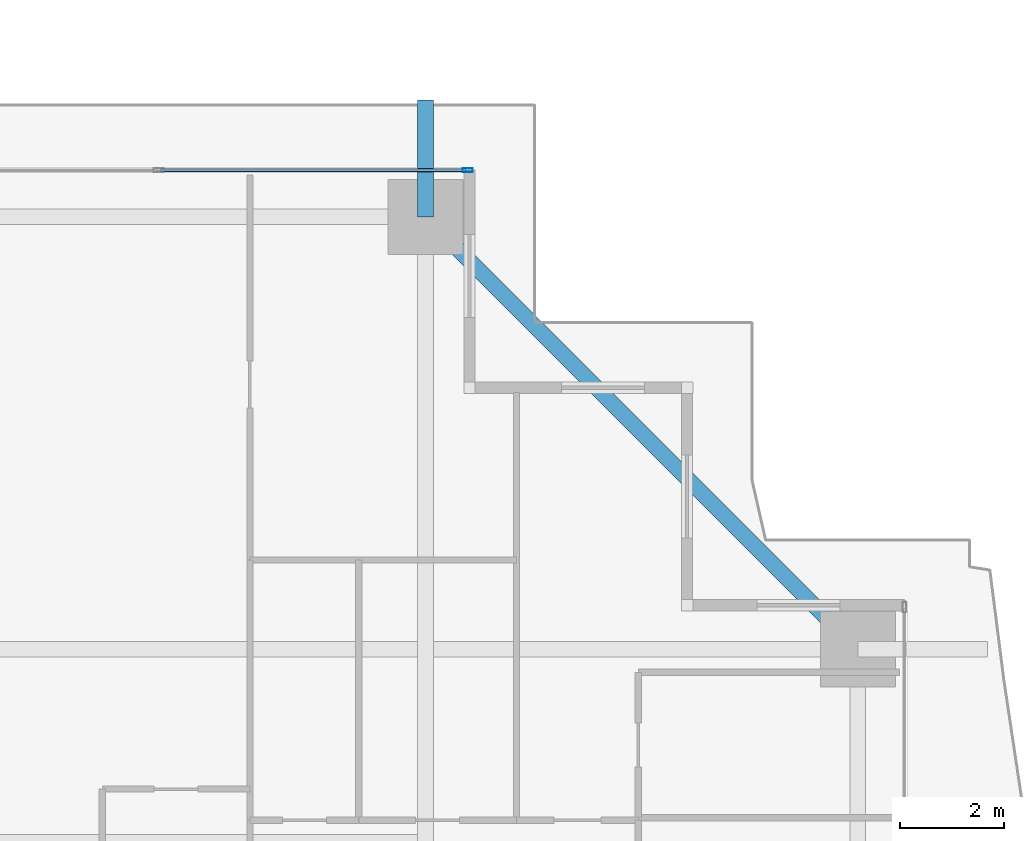
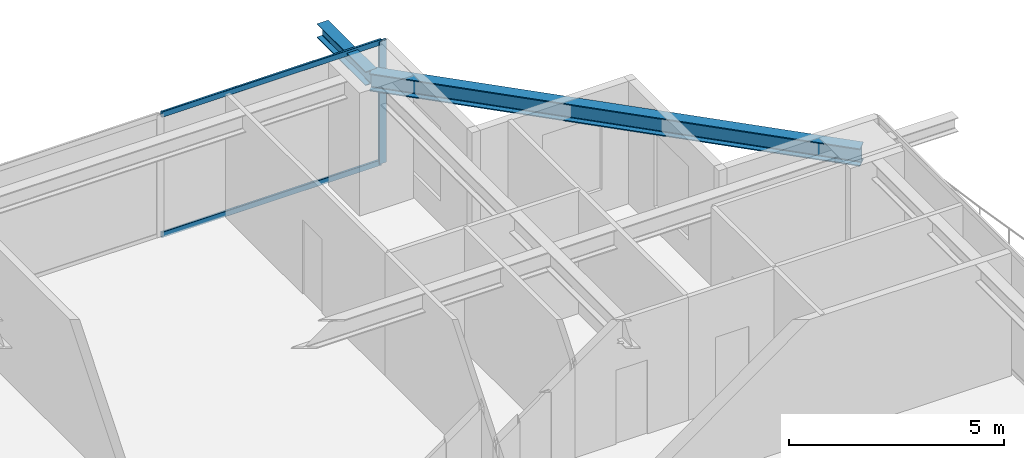
# One storey, part 25 of 39: 3 members, 2 beams, 1 element without a shape of its own.
"""IFC4 building model written with IfcOpenShell, lengths in metres."""

from ifc_helpers import new_model, si_unit, direction, frame, origin, origin_2d, place, context, subcontext, project, spatial, hollow_rectangle, i_section, extrude, source, transform, mapped, material, layer, layer_set, material_profile, profile_set, type_object, element, aggregate, save


model = new_model("IFC4")

# Units and contexts
model_context = context("Model", 3, precision=1e-05, world=origin(), true_north=direction((0.0, 1.0)))
body_context = subcontext(model_context, "Body", "Model", "MODEL_VIEW")
ifc_project = project(units=[si_unit("LENGTHUNIT", "METRE"), si_unit("AREAUNIT", "SQUARE_METRE"), si_unit("VOLUMEUNIT", "CUBIC_METRE"), si_unit("PLANEANGLEUNIT", "RADIAN"), si_unit("MASSUNIT", "GRAM", prefix="KILO")], contexts=[model_context])

# Site, building, storey
site_placement = place(None, origin())
site = spatial("IfcSite", under=ifc_project, at=site_placement, CompositionType="ELEMENT")
building_placement = place(site_placement, origin())
building = spatial("IfcBuilding", under=site, at=building_placement, Name="Serunith Strait Residences", CompositionType="ELEMENT")
storey_placement = place(building_placement, frame((0.0, 0.0, 49.199951171875)))
storey = spatial("IfcBuildingStorey", under=building, at=storey_placement, Name="L11", CompositionType="ELEMENT", Elevation=49.199951171875)

# Beams
ifc_material_1 = material(Name="Steel S355J2", Category="steel")
ifc_material_profile_1 = material_profile(ifc_material_1, i_section(OverallWidth=0.300048828125, OverallDepth=0.5, WebThickness=0.014404296875, FlangeThickness=0.028076171875, FilletRadius=0.027099609375, at=origin_2d()), Name="HEB 500")
ifc_profile_set_1 = profile_set([ifc_material_profile_1], Name="Steel S355J2")
beam_type_1 = type_object("IfcBeamType", Name="BM-HEB500", PredefinedType="BEAM", material=ifc_profile_set_1)
shared_shape_1 = source(origin(), body_context, "Body", "SweptSolid", [
    extrude(i_section(OverallWidth=0.300048828125, OverallDepth=0.5, WebThickness=0.014404296875, FlangeThickness=0.028076171875, FilletRadius=0.027099609375, at=origin_2d()), origin(), (0.0, 0.0, 1.0), 11.80859375),
])
beam_1_placement = place(storey_placement, frame((57.89990234375, 40.949951171875, 3.20703125), z_axis=(-0.707096443746, 0.707117118476, 0.0), x_axis=(-0.707117118476, -0.707096443746, 0.0)))
element("IfcBeam", 1, at=beam_1_placement, inside=storey, type_object=beam_type_1, Name="L11 Perimeter Ring Beam 08", PredefinedType="BEAM", context=body_context, shape_type="MappedRepresentation", body=[
    mapped(shared_shape_1, transform((0.0, 0.0, 0.0), scale=1.0)),
])
ifc_material_profile_2 = material_profile(ifc_material_1, i_section(OverallWidth=0.300048828125, OverallDepth=0.39990234375, WebThickness=0.013427734375, FlangeThickness=0.02392578125, FilletRadius=0.027099609375, at=origin_2d()), Name="HEB 400")
ifc_profile_set_2 = profile_set([ifc_material_profile_2], Name="Steel S355J2")
beam_type_2 = type_object("IfcBeamType", Name="BM-HEB400", PredefinedType="BEAM", material=ifc_profile_set_2)
shared_shape_2 = source(origin(), body_context, "Body", "SweptSolid", [
    extrude(i_section(OverallWidth=0.300048828125, OverallDepth=0.39990234375, WebThickness=0.013427734375, FlangeThickness=0.02392578125, FilletRadius=0.027099609375, at=origin_2d()), origin(), (0.0, 0.0, 1.0), 2.25244140625),
])
beam_2_placement = place(storey_placement, frame((49.550048828125, 49.300048828125, 3.257080078125), z_axis=(0.0, 1.0, 0.0), x_axis=(-1.0, 0.0, 0.0)))
element("IfcBeam", 2, at=beam_2_placement, inside=storey, type_object=beam_type_2, Name="L12 Cantilevered Balcony Rib TC-N4", PredefinedType="BEAM", context=body_context, shape_type="MappedRepresentation", body=[
    mapped(shared_shape_2, transform((0.0, 0.0, 0.0), scale=1.0)),
])

# Curtain wall, members
ifc_material_2 = material(Name="Pale-Champagne Anodised Aluminium", Category="aluminium")
ifc_layer = layer(ifc_material_2, 0.199951171875, Name="Pale-Champagne Anodised Aluminium")
ifc_layer_set = layer_set([ifc_layer], Name="Pale-Champagne Anodised Aluminium")
curtain_wall_type = type_object("IfcCurtainWallType", Name="CW-SYS1", PredefinedType="NOTDEFINED", material=ifc_layer_set)
curtain_wall_placement = place(storey_placement, origin())
curtain_wall = element("IfcCurtainWall", 3, at=curtain_wall_placement, inside=storey, type_object=curtain_wall_type, Name="L11 N Unitised Fritted Curtain Wall", PredefinedType="NOTDEFINED")
ifc_material_profile_3 = material_profile(ifc_material_2, hollow_rectangle(XDim=0.070068359375, YDim=0.199951171875, WallThickness=0.00390625, InnerFilletRadius=0.006103515625, OuterFilletRadius=0.010009765625, at=origin_2d()), Name="ALU 200x70x4")
ifc_profile_set_3 = profile_set([ifc_material_profile_3], Name="Pale-Champagne Anodised Aluminium")
member_type_1 = type_object("IfcMemberType", Name="CW-SYS1-MULL", PredefinedType="MULLION", material=ifc_profile_set_3)
shared_shape_3 = source(origin(), body_context, "Body", "SweptSolid", [
    extrude(hollow_rectangle(XDim=0.070068359375, YDim=0.199951171875, WallThickness=0.00390625, InnerFilletRadius=0.006103515625, OuterFilletRadius=0.010009765625, at=origin_2d()), origin(), (0.0, 0.0, 1.0), 3.47509765625),
])
member_1_placement = place(storey_placement, frame((50.364990234375, 50.199951171875, 0.0), z_axis=(0.0, 0.0, 1.0), x_axis=(0.0, -1.0, 0.0)))
member_1 = element("IfcMember", 4, at=member_1_placement, type_object=member_type_1, Name="CW-1 mullion 1", PredefinedType="MULLION", context=body_context, shape_type="MappedRepresentation", body=[
    mapped(shared_shape_3, transform((0.0, 0.0, 0.0), scale=1.0)),
])
ifc_material_profile_4 = material_profile(ifc_material_2, hollow_rectangle(XDim=0.06005859375, YDim=0.159912109375, WallThickness=0.00341796875, InnerFilletRadius=0.00537109375, OuterFilletRadius=0.0087890625, at=origin_2d()), Name="ALU 160x60x3.5")
ifc_profile_set_4 = profile_set([ifc_material_profile_4], Name="Pale-Champagne Anodised Aluminium")
member_type_2 = type_object("IfcMemberType", Name="CW-SYS1-TRAN", PredefinedType="USERDEFINED", material=ifc_profile_set_4)
shared_shape_4 = source(origin(), body_context, "Body", "SweptSolid", [
    extrude(hollow_rectangle(XDim=0.06005859375, YDim=0.159912109375, WallThickness=0.00341796875, InnerFilletRadius=0.00537109375, OuterFilletRadius=0.0087890625, at=origin_2d()), origin(), (0.0, 0.0, 1.0), 5.89501953125),
])
member_2_placement = place(storey_placement, frame((50.330078125, 50.199951171875, 0.030029296875), z_axis=(-1.0, 0.0, 0.0), x_axis=(0.0, -1.0, 0.0)))
member_2 = element("IfcMember", 5, at=member_2_placement, type_object=member_type_2, Name="CW-1 transom 1.1", ObjectType="TRANSOM", PredefinedType="USERDEFINED", context=body_context, shape_type="MappedRepresentation", body=[
    mapped(shared_shape_4, transform((0.0, 0.0, 0.0), scale=1.0)),
])
member_3_placement = place(storey_placement, frame((50.330078125, 50.199951171875, 3.445068359375), z_axis=(-1.0, 0.0, 0.0), x_axis=(0.0, -1.0, 0.0)))
member_3 = element("IfcMember", 6, at=member_3_placement, type_object=member_type_2, Name="CW-1 transom 1.2", ObjectType="TRANSOM", PredefinedType="USERDEFINED", context=body_context, shape_type="MappedRepresentation", body=[
    mapped(shared_shape_4, transform((0.0, 0.0, 0.0), scale=1.0)),
])
aggregate(curtain_wall, [member_1, member_2, member_3])

save(model, "model.ifc")
